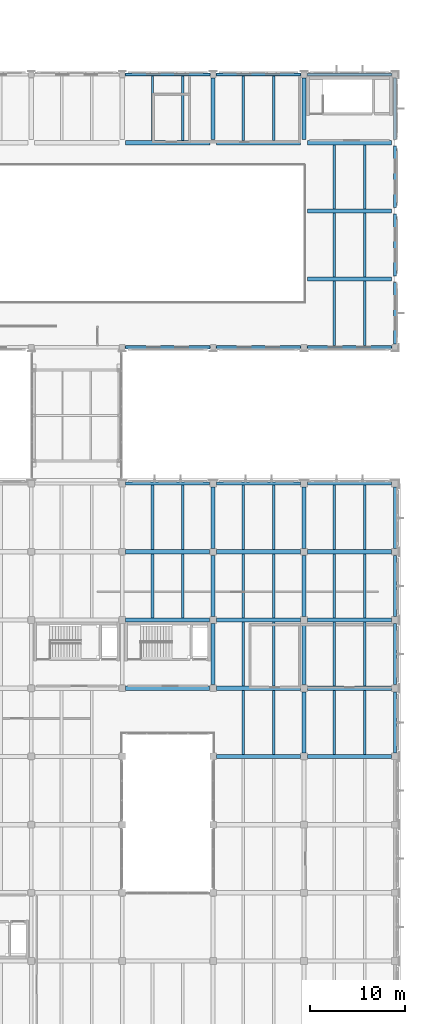
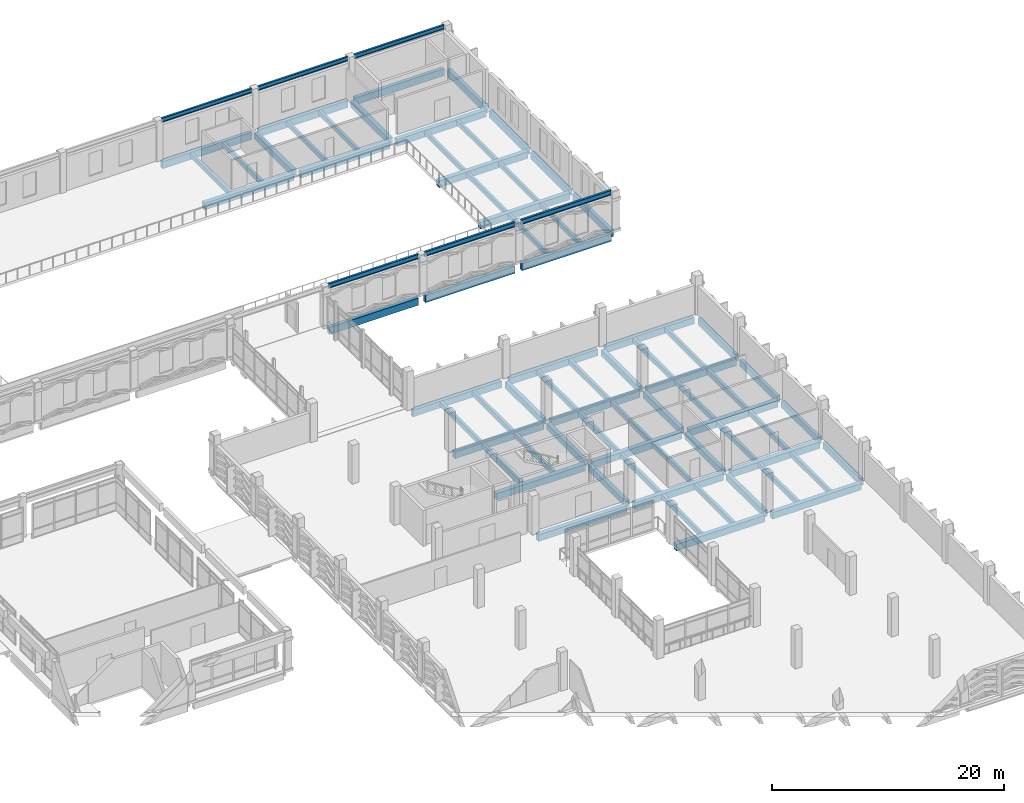
# One storey, part 119 of 180: 78 beams.
"""IFC4 building model written with IfcOpenShell, lengths in metres."""

from ifc_helpers import new_model, si_unit, direction, frame, origin, origin_2d, place, context, subcontext, project, spatial, rectangle, i_section, extrude, material, material_profile, profile_set, type_object, element, save


model = new_model("IFC4")

# Units and contexts
model_context = context("Model", 3, precision=1e-05, world=origin(), true_north=direction((0.0, 1.0)))
body_context = subcontext(model_context, "Body", "Model", "MODEL_VIEW")
ifc_project = project(units=[si_unit("LENGTHUNIT", "METRE"), si_unit("AREAUNIT", "SQUARE_METRE"), si_unit("VOLUMEUNIT", "CUBIC_METRE"), si_unit("PLANEANGLEUNIT", "RADIAN"), si_unit("MASSUNIT", "GRAM", prefix="KILO")], contexts=[model_context])

# Site, building, storey
site_placement = place(None, origin())
site = spatial("IfcSite", under=ifc_project, at=site_placement, CompositionType="ELEMENT")
building_placement = place(site_placement, origin())
building = spatial("IfcBuilding", under=site, at=building_placement, Name="Asteropetra Specialist Clinic", CompositionType="ELEMENT")
storey_placement = place(building_placement, frame((0.0, 0.0, 4.419921875)))
storey = spatial("IfcBuildingStorey", under=building, at=storey_placement, Name="L01", CompositionType="ELEMENT", Elevation=4.419921875)

# Beams
ifc_material_1 = material(Name="Concrete C35/45", Category="concrete")
ifc_material_profile_1 = material_profile(ifc_material_1, rectangle(XDim=0.39990234375, YDim=0.64990234375, at=origin_2d()), Name="RCB 400x650")
ifc_profile_set_1 = profile_set([ifc_material_profile_1], Name="Concrete C35/45")
beam_type_1 = type_object("IfcBeamType", Name="BM-RC400x650", PredefinedType="BEAM", material=ifc_profile_set_1)
for number, where, z_axis, x_axis, name in (
    (1, (144.0, 33.97509765625, -0.625), (0.0, 1.0, 0.0), (-1.0, 0.0, 0.0), "Beam BBM07-0511"),
    (2, (134.39990234375, 41.175048828125, -0.625), (0.0, 1.0, 0.0), (-1.0, 0.0, 0.0), "Beam BBM07-0524"),
    (3, (144.0, 41.175048828125, -0.625), (0.0, 1.0, 0.0), (-1.0, 0.0, 0.0), "Beam BBM07-0525"),
    (4, (134.39990234375, 48.375, -0.625), (0.0, 1.0, 0.0), (-1.0, 0.0, 0.0), "Beam BBM07-0536"),
    (5, (144.0, 48.375, -0.625), (0.0, 1.0, 0.0), (-1.0, 0.0, 0.0), "Beam BBM07-0537"),
    (6, (134.39990234375, 55.574951171875, -0.625), (0.0, 1.0, 0.0), (-1.0, 0.0, 0.0), "Beam BBM07-0552"),
    (7, (144.0, 55.574951171875, -0.625), (0.0, 1.0, 0.0), (-1.0, 0.0, 0.0), "Beam BBM07-0553"),
):
    element("IfcBeam", number, at=place(storey_placement, frame(where, z_axis=z_axis, x_axis=x_axis)), inside=storey, type_object=beam_type_1, Name=name, PredefinedType="BEAM", context=body_context, shape_type="SweptSolid", body=[
        extrude(rectangle(XDim=0.39990234375, YDim=0.64990234375, at=origin_2d()), origin(), (0.0, 0.0, 1.0), 6.449951171875),
    ])
ifc_material_2 = material(Name="Concrete C35/45", Category="concrete")
ifc_material_profile_2 = material_profile(ifc_material_2, rectangle(XDim=0.449951171875, YDim=0.64990234375, at=origin_2d()), Name="RCB 450x650")
ifc_profile_set_2 = profile_set([ifc_material_profile_2], Name="Concrete C35/45")
beam_type_2 = type_object("IfcBeamType", Name="BM-RC450x650", PredefinedType="BEAM", material=ifc_profile_set_2)
for number, where, z_axis, x_axis, name in (
    (8, (134.39990234375, 98.75, -0.60498046875), (0.0, 1.0, 0.0), (-1.0, 0.0, 0.0), "Beam BBM06-0613"),
    (9, (144.0, 98.75, -0.60498046875), (0.0, 1.0, 0.0), (-1.0, 0.0, 0.0), "Beam BBM06-0614"),
):
    element("IfcBeam", number, at=place(storey_placement, frame(where, z_axis=z_axis, x_axis=x_axis)), inside=storey, type_object=beam_type_2, Name=name, PredefinedType="BEAM", context=body_context, shape_type="SweptSolid", body=[
        extrude(rectangle(XDim=0.449951171875, YDim=0.64990234375, at=origin_2d()), origin(), (0.0, 0.0, 1.0), 6.5),
    ])
ifc_material_3 = material(Name="Concrete C35/45", Category="concrete")
ifc_material_profile_3 = material_profile(ifc_material_3, rectangle(XDim=0.449951171875, YDim=0.699951171875, at=origin_2d()), Name="RCB 450x700")
ifc_profile_set_3 = profile_set([ifc_material_profile_3], Name="Concrete C35/45")
beam_type_3 = type_object("IfcBeamType", Name="BM-RC450x700", PredefinedType="BEAM", material=ifc_profile_set_3)
for number, where, z_axis, x_axis, name in (
    (10, (134.77490234375, 33.60009765625, -0.64990234375), (1.0, 0.0, 0.0), (0.0, 1.0, 0.0), "Beam BBM05-0419"),
    (11, (144.375, 33.60009765625, -0.64990234375), (1.0, 0.0, 0.0), (0.0, 1.0, 0.0), "Beam BBM05-0420"),
):
    element("IfcBeam", number, at=place(storey_placement, frame(where, z_axis=z_axis, x_axis=x_axis)), inside=storey, type_object=beam_type_3, Name=name, PredefinedType="BEAM", context=body_context, shape_type="SweptSolid", body=[
        extrude(rectangle(XDim=0.449951171875, YDim=0.699951171875, at=origin_2d()), origin(), (0.0, 0.0, 1.0), 8.85009765625),
    ])
beam_1_placement = place(storey_placement, frame((125.175048828125, 40.800048828125, -0.64990234375), z_axis=(1.0, 0.0, 0.0), x_axis=(0.0, 1.0, 0.0)))
element("IfcBeam", 12, at=beam_1_placement, inside=storey, type_object=beam_type_3, Name="Beam BBM05-0423", PredefinedType="BEAM", context=body_context, shape_type="SweptSolid", body=[
    extrude(rectangle(XDim=0.449951171875, YDim=0.699951171875, at=origin_2d()), origin(), (0.0, 0.0, 1.0), 8.849853515625),
])
for number, where, z_axis, x_axis, name in (
    (13, (134.77490234375, 40.800048828125, -0.64990234375), (1.0, 0.0, 0.0), (0.0, 1.0, 0.0), "Beam BBM05-0424"),
    (14, (144.375, 40.800048828125, -0.64990234375), (1.0, 0.0, 0.0), (0.0, 1.0, 0.0), "Beam BBM05-0425"),
):
    element("IfcBeam", number, at=place(storey_placement, frame(where, z_axis=z_axis, x_axis=x_axis)), inside=storey, type_object=beam_type_3, Name=name, PredefinedType="BEAM", context=body_context, shape_type="SweptSolid", body=[
        extrude(rectangle(XDim=0.449951171875, YDim=0.699951171875, at=origin_2d()), origin(), (0.0, 0.0, 1.0), 8.85009765625),
    ])
beam_2_placement = place(storey_placement, frame((125.175048828125, 48.0, -0.64990234375), z_axis=(1.0, 0.0, 0.0), x_axis=(0.0, 1.0, 0.0)))
element("IfcBeam", 15, at=beam_2_placement, inside=storey, type_object=beam_type_3, Name="Beam BBM05-0428", PredefinedType="BEAM", context=body_context, shape_type="SweptSolid", body=[
    extrude(rectangle(XDim=0.449951171875, YDim=0.699951171875, at=origin_2d()), origin(), (0.0, 0.0, 1.0), 8.849853515625),
])
for number, where, z_axis, x_axis, name in (
    (16, (134.77490234375, 48.0, -0.64990234375), (1.0, 0.0, 0.0), (0.0, 1.0, 0.0), "Beam BBM05-0429"),
    (17, (144.375, 48.0, -0.64990234375), (1.0, 0.0, 0.0), (0.0, 1.0, 0.0), "Beam BBM05-0430"),
):
    element("IfcBeam", number, at=place(storey_placement, frame(where, z_axis=z_axis, x_axis=x_axis)), inside=storey, type_object=beam_type_3, Name=name, PredefinedType="BEAM", context=body_context, shape_type="SweptSolid", body=[
        extrude(rectangle(XDim=0.449951171875, YDim=0.699951171875, at=origin_2d()), origin(), (0.0, 0.0, 1.0), 8.85009765625),
    ])
beam_3_placement = place(storey_placement, frame((125.175048828125, 55.199951171875, -0.64990234375), z_axis=(1.0, 0.0, 0.0), x_axis=(0.0, 1.0, 0.0)))
element("IfcBeam", 18, at=beam_3_placement, inside=storey, type_object=beam_type_3, Name="Beam BBM05-0433", PredefinedType="BEAM", context=body_context, shape_type="SweptSolid", body=[
    extrude(rectangle(XDim=0.449951171875, YDim=0.699951171875, at=origin_2d()), origin(), (0.0, 0.0, 1.0), 8.849853515625),
])
for number, where, z_axis, x_axis, name in (
    (19, (134.77490234375, 55.199951171875, -0.64990234375), (1.0, 0.0, 0.0), (0.0, 1.0, 0.0), "Beam BBM05-0434"),
    (20, (144.375, 55.199951171875, -0.64990234375), (1.0, 0.0, 0.0), (0.0, 1.0, 0.0), "Beam BBM05-0435"),
):
    element("IfcBeam", number, at=place(storey_placement, frame(where, z_axis=z_axis, x_axis=x_axis)), inside=storey, type_object=beam_type_3, Name=name, PredefinedType="BEAM", context=body_context, shape_type="SweptSolid", body=[
        extrude(rectangle(XDim=0.449951171875, YDim=0.699951171875, at=origin_2d()), origin(), (0.0, 0.0, 1.0), 8.85009765625),
    ])
for number, where, z_axis, x_axis, name in (
    (21, (144.35009765625, 84.0, -0.6298828125), (1.0, 0.0, 0.0), (0.0, 1.0, 0.0), "Beam BBM05-0573"),
    (22, (144.35009765625, 91.199951171875, -0.6298828125), (1.0, 0.0, 0.0), (0.0, 1.0, 0.0), "Beam BBM05-0575"),
):
    element("IfcBeam", number, at=place(storey_placement, frame(where, z_axis=z_axis, x_axis=x_axis)), inside=storey, type_object=beam_type_3, Name=name, PredefinedType="BEAM", context=body_context, shape_type="SweptSolid", body=[
        extrude(rectangle(XDim=0.449951171875, YDim=0.699951171875, at=origin_2d()), origin(), (0.0, 0.0, 1.0), 8.89990234375),
    ])
beam_4_placement = place(storey_placement, frame((125.14990234375, 98.39990234375, -0.6298828125), z_axis=(1.0, 0.0, 0.0), x_axis=(0.0, 1.0, 0.0)))
element("IfcBeam", 23, at=beam_4_placement, inside=storey, type_object=beam_type_3, Name="Beam BBM05-0580", PredefinedType="BEAM", context=body_context, shape_type="SweptSolid", body=[
    extrude(rectangle(XDim=0.449951171875, YDim=0.699951171875, at=origin_2d()), origin(), (0.0, 0.0, 1.0), 8.900146484375),
])
for number, where, z_axis, x_axis, name in (
    (24, (134.75, 98.39990234375, -0.6298828125), (1.0, 0.0, 0.0), (0.0, 1.0, 0.0), "Beam BBM05-0581"),
    (25, (144.35009765625, 98.39990234375, -0.6298828125), (1.0, 0.0, 0.0), (0.0, 1.0, 0.0), "Beam BBM05-0582"),
):
    element("IfcBeam", number, at=place(storey_placement, frame(where, z_axis=z_axis, x_axis=x_axis)), inside=storey, type_object=beam_type_3, Name=name, PredefinedType="BEAM", context=body_context, shape_type="SweptSolid", body=[
        extrude(rectangle(XDim=0.449951171875, YDim=0.699951171875, at=origin_2d()), origin(), (0.0, 0.0, 1.0), 8.89990234375),
    ])
ifc_material_4 = material(Name="Steel S355", Category="steel")
ifc_material_profile_4 = material_profile(ifc_material_4, i_section(OverallWidth=0.18994140625, OverallDepth=0.449951171875, WebThickness=0.009521484375, FlangeThickness=0.0146484375, FilletRadius=0.02099609375, at=origin_2d()), Name="IPE 450")
ifc_profile_set_4 = profile_set([ifc_material_profile_4], Name="Steel S355")
beam_type_4 = type_object("IfcBeamType", Name="BM-STL-IPE450", PredefinedType="BEAM", material=ifc_profile_set_4)
for number, where, z_axis, x_axis, name in (
    (26, (125.10009765625, 105.60009765625, 4.030029296875), (1.0, 0.0, 0.0), (0.0, 1.0, 0.0), "Hall Eave Girder EG-124-105"),
    (27, (134.699951171875, 105.60009765625, 4.030029296875), (1.0, 0.0, 0.0), (0.0, 1.0, 0.0), "Hall Eave Girder EG-134-105"),
    (28, (144.300048828125, 105.60009765625, 4.030029296875), (1.0, 0.0, 0.0), (0.0, 1.0, 0.0), "Hall Eave Girder EG-144-105"),
):
    element("IfcBeam", number, at=place(storey_placement, frame(where, z_axis=z_axis, x_axis=x_axis)), inside=storey, type_object=beam_type_4, Name=name, PredefinedType="BEAM", context=body_context, shape_type="SweptSolid", body=[
        extrude(i_section(OverallWidth=0.18994140625, OverallDepth=0.449951171875, WebThickness=0.009521484375, FlangeThickness=0.0146484375, FilletRadius=0.02099609375, at=origin_2d()), origin(), (0.0, 0.0, 1.0), 9.0),
    ])
ifc_material_5 = material(Name="Steel S355", Category="steel")
ifc_material_profile_5 = material_profile(ifc_material_5, i_section(OverallWidth=0.199951171875, OverallDepth=0.5, WebThickness=0.01025390625, FlangeThickness=0.01611328125, FilletRadius=0.02099609375, at=origin_2d()), Name="IPE 500")
ifc_profile_set_5 = profile_set([ifc_material_profile_5], Name="Steel S355")
beam_type_5 = type_object("IfcBeamType", Name="BM-STL-IPE500", PredefinedType="BEAM", material=ifc_profile_set_5)
for number, where, z_axis, x_axis, name in (
    (29, (125.10009765625, 76.800048828125, 4.030029296875), (1.0, 0.0, 0.0), (0.0, 1.0, 0.0), "Hall Eave Girder EG-124-76"),
    (30, (134.699951171875, 76.800048828125, 4.030029296875), (1.0, 0.0, 0.0), (0.0, 1.0, 0.0), "Hall Eave Girder EG-134-76"),
    (31, (144.300048828125, 76.800048828125, 4.030029296875), (1.0, 0.0, 0.0), (0.0, 1.0, 0.0), "Hall Eave Girder EG-144-76"),
):
    element("IfcBeam", number, at=place(storey_placement, frame(where, z_axis=z_axis, x_axis=x_axis)), inside=storey, type_object=beam_type_5, Name=name, PredefinedType="BEAM", context=body_context, shape_type="SweptSolid", body=[
        extrude(i_section(OverallWidth=0.199951171875, OverallDepth=0.5, WebThickness=0.01025390625, FlangeThickness=0.01611328125, FilletRadius=0.02099609375, at=origin_2d()), origin(), (0.0, 0.0, 1.0), 9.0),
    ])
ifc_material_6 = material(Name="Concrete C35/45", Category="concrete")
ifc_material_profile_6 = material_profile(ifc_material_6, rectangle(XDim=0.260009765625, YDim=0.47998046875, at=origin_2d()), Name="RCJ 260x480")
ifc_profile_set_6 = profile_set([ifc_material_profile_6], Name="Concrete C35/45")
beam_type_6 = type_object("IfcBeamType", Name="JST-RC260x480", PredefinedType="JOIST", material=ifc_profile_set_6)
for number, where, z_axis, x_axis, name in (
    (32, (147.199951171875, 76.97509765625, -0.52001953125), (0.0, 1.0, 0.0), (-1.0, 0.0, 0.0), "Joist JJST02-0594"),
    (33, (150.39990234375, 76.97509765625, -0.52001953125), (0.0, 1.0, 0.0), (-1.0, 0.0, 0.0), "Joist JJST02-0595"),
):
    element("IfcBeam", number, at=place(storey_placement, frame(where, z_axis=z_axis, x_axis=x_axis)), inside=storey, type_object=beam_type_6, Name=name, PredefinedType="JOIST", context=body_context, shape_type="SweptSolid", body=[
        extrude(rectangle(XDim=0.260009765625, YDim=0.47998046875, at=origin_2d()), origin(), (0.0, 0.0, 1.0), 6.7998046875),
    ])
for number, where, z_axis, x_axis, name in (
    (34, (147.199951171875, 84.22509765625, -0.52001953125), (0.0, 1.0, 0.0), (-1.0, 0.0, 0.0), "Joist JJST02-0600"),
    (35, (150.39990234375, 84.22509765625, -0.52001953125), (0.0, 1.0, 0.0), (-1.0, 0.0, 0.0), "Joist JJST02-0601"),
    (36, (147.199951171875, 91.425048828125, -0.52001953125), (0.0, 1.0, 0.0), (-1.0, 0.0, 0.0), "Joist JJST02-0606"),
    (37, (150.39990234375, 91.425048828125, -0.52001953125), (0.0, 1.0, 0.0), (-1.0, 0.0, 0.0), "Joist JJST02-0607"),
):
    element("IfcBeam", number, at=place(storey_placement, frame(where, z_axis=z_axis, x_axis=x_axis)), inside=storey, type_object=beam_type_6, Name=name, PredefinedType="JOIST", context=body_context, shape_type="SweptSolid", body=[
        extrude(rectangle(XDim=0.260009765625, YDim=0.47998046875, at=origin_2d()), origin(), (0.0, 0.0, 1.0), 6.75),
    ])
for number, where, z_axis, x_axis, name in (
    (38, (128.0, 98.625, -0.52001953125), (0.0, 1.0, 0.0), (-1.0, 0.0, 0.0), "Joist JJST02-0622"),
    (39, (131.199951171875, 98.625, -0.52001953125), (0.0, 1.0, 0.0), (-1.0, 0.0, 0.0), "Joist JJST02-0623"),
    (40, (137.60009765625, 98.625, -0.52001953125), (0.0, 1.0, 0.0), (-1.0, 0.0, 0.0), "Joist JJST02-0624"),
    (41, (140.800048828125, 98.625, -0.52001953125), (0.0, 1.0, 0.0), (-1.0, 0.0, 0.0), "Joist JJST02-0625"),
):
    element("IfcBeam", number, at=place(storey_placement, frame(where, z_axis=z_axis, x_axis=x_axis)), inside=storey, type_object=beam_type_6, Name=name, PredefinedType="JOIST", context=body_context, shape_type="SweptSolid", body=[
        extrude(rectangle(XDim=0.260009765625, YDim=0.47998046875, at=origin_2d()), origin(), (0.0, 0.0, 1.0), 6.800048828125),
    ])
ifc_material_7 = material(Name="Concrete C35/45", Category="concrete")
ifc_material_profile_7 = material_profile(ifc_material_7, rectangle(XDim=0.280029296875, YDim=0.52001953125, at=origin_2d()), Name="RCJ 280x520")
ifc_profile_set_7 = profile_set([ifc_material_profile_7], Name="Concrete C35/45")
beam_type_7 = type_object("IfcBeamType", Name="JST-RC280x520", PredefinedType="JOIST", material=ifc_profile_set_7)
for number, where, z_axis, x_axis, name in (
    (42, (137.60009765625, 33.824951171875, -0.559814453125), (0.0, 1.0, 0.0), (-1.0, 0.0, 0.0), "Joist JJST01-0517"),
    (43, (140.800048828125, 33.824951171875, -0.559814453125), (0.0, 1.0, 0.0), (-1.0, 0.0, 0.0), "Joist JJST01-0518"),
    (44, (147.199951171875, 33.824951171875, -0.559814453125), (0.0, 1.0, 0.0), (-1.0, 0.0, 0.0), "Joist JJST01-0519"),
    (45, (150.39990234375, 33.824951171875, -0.559814453125), (0.0, 1.0, 0.0), (-1.0, 0.0, 0.0), "Joist JJST01-0520"),
    (46, (137.60009765625, 41.02490234375, -0.559814453125), (0.0, 1.0, 0.0), (-1.0, 0.0, 0.0), "Joist JJST01-0529"),
    (47, (140.800048828125, 41.02490234375, -0.559814453125), (0.0, 1.0, 0.0), (-1.0, 0.0, 0.0), "Joist JJST01-0530"),
    (48, (147.199951171875, 41.02490234375, -0.559814453125), (0.0, 1.0, 0.0), (-1.0, 0.0, 0.0), "Joist JJST01-0531"),
    (49, (150.39990234375, 41.02490234375, -0.559814453125), (0.0, 1.0, 0.0), (-1.0, 0.0, 0.0), "Joist JJST01-0532"),
    (50, (128.0, 48.22509765625, -0.559814453125), (0.0, 1.0, 0.0), (-1.0, 0.0, 0.0), "Joist JJST01-0543"),
    (51, (131.199951171875, 48.22509765625, -0.559814453125), (0.0, 1.0, 0.0), (-1.0, 0.0, 0.0), "Joist JJST01-0544"),
    (52, (137.60009765625, 48.22509765625, -0.559814453125), (0.0, 1.0, 0.0), (-1.0, 0.0, 0.0), "Joist JJST01-0545"),
    (53, (140.800048828125, 48.22509765625, -0.559814453125), (0.0, 1.0, 0.0), (-1.0, 0.0, 0.0), "Joist JJST01-0546"),
    (54, (147.199951171875, 48.22509765625, -0.559814453125), (0.0, 1.0, 0.0), (-1.0, 0.0, 0.0), "Joist JJST01-0547"),
    (55, (150.39990234375, 48.22509765625, -0.559814453125), (0.0, 1.0, 0.0), (-1.0, 0.0, 0.0), "Joist JJST01-0548"),
):
    element("IfcBeam", number, at=place(storey_placement, frame(where, z_axis=z_axis, x_axis=x_axis)), inside=storey, type_object=beam_type_7, Name=name, PredefinedType="JOIST", context=body_context, shape_type="SweptSolid", body=[
        extrude(rectangle(XDim=0.280029296875, YDim=0.52001953125, at=origin_2d()), origin(), (0.0, 0.0, 1.0), 6.75),
    ])
for number, where, z_axis, x_axis, name in (
    (56, (128.0, 55.425048828125, -0.559814453125), (0.0, 1.0, 0.0), (-1.0, 0.0, 0.0), "Joist JJST01-0559"),
    (57, (131.199951171875, 55.425048828125, -0.559814453125), (0.0, 1.0, 0.0), (-1.0, 0.0, 0.0), "Joist JJST01-0560"),
    (58, (137.60009765625, 55.425048828125, -0.559814453125), (0.0, 1.0, 0.0), (-1.0, 0.0, 0.0), "Joist JJST01-0561"),
    (59, (140.800048828125, 55.425048828125, -0.559814453125), (0.0, 1.0, 0.0), (-1.0, 0.0, 0.0), "Joist JJST01-0562"),
    (60, (147.199951171875, 55.425048828125, -0.559814453125), (0.0, 1.0, 0.0), (-1.0, 0.0, 0.0), "Joist JJST01-0563"),
    (61, (150.39990234375, 55.425048828125, -0.559814453125), (0.0, 1.0, 0.0), (-1.0, 0.0, 0.0), "Joist JJST01-0564"),
):
    element("IfcBeam", number, at=place(storey_placement, frame(where, z_axis=z_axis, x_axis=x_axis)), inside=storey, type_object=beam_type_7, Name=name, PredefinedType="JOIST", context=body_context, shape_type="SweptSolid", body=[
        extrude(rectangle(XDim=0.280029296875, YDim=0.52001953125, at=origin_2d()), origin(), (0.0, 0.0, 1.0), 6.81494140625),
    ])
ifc_material_8 = material(Name="Concrete C35/45", Category="concrete")
ifc_material_profile_8 = material_profile(ifc_material_8, rectangle(XDim=0.320068359375, YDim=0.699951171875, at=origin_2d()), Name="RCS 320x700")
ifc_profile_set_8 = profile_set([ifc_material_profile_8], Name="Concrete C35/45")
beam_type_8 = type_object("IfcBeamType", Name="SPN-RC320x700", PredefinedType="SPANDREL", material=ifc_profile_set_8)
beam_5_placement = place(storey_placement, frame((125.175048828125, 62.39990234375, -0.64990234375), z_axis=(1.0, 0.0, 0.0), x_axis=(0.0, 1.0, 0.0)))
element("IfcBeam", 62, at=beam_5_placement, inside=storey, type_object=beam_type_8, Name="Beam BSPN02-0438", PredefinedType="SPANDREL", context=body_context, shape_type="SweptSolid", body=[
    extrude(rectangle(XDim=0.320068359375, YDim=0.699951171875, at=origin_2d()), origin(), (0.0, 0.0, 1.0), 8.849853515625),
])
for number, where, z_axis, x_axis, name in (
    (63, (134.77490234375, 62.39990234375, -0.64990234375), (1.0, 0.0, 0.0), (0.0, 1.0, 0.0), "Beam BSPN02-0439"),
    (64, (144.375, 62.39990234375, -0.64990234375), (1.0, 0.0, 0.0), (0.0, 1.0, 0.0), "Beam BSPN02-0440"),
):
    element("IfcBeam", number, at=place(storey_placement, frame(where, z_axis=z_axis, x_axis=x_axis)), inside=storey, type_object=beam_type_8, Name=name, PredefinedType="SPANDREL", context=body_context, shape_type="SweptSolid", body=[
        extrude(rectangle(XDim=0.320068359375, YDim=0.699951171875, at=origin_2d()), origin(), (0.0, 0.0, 1.0), 8.85009765625),
    ])
for number, where, z_axis, x_axis, name in (
    (65, (153.60009765625, 33.97509765625, -0.64990234375), (0.0, 1.0, 0.0), (-1.0, 0.0, 0.0), "Beam BSPN02-0512"),
    (66, (153.60009765625, 41.175048828125, -0.64990234375), (0.0, 1.0, 0.0), (-1.0, 0.0, 0.0), "Beam BSPN02-0526"),
    (67, (153.60009765625, 48.375, -0.64990234375), (0.0, 1.0, 0.0), (-1.0, 0.0, 0.0), "Beam BSPN02-0538"),
    (68, (153.60009765625, 55.574951171875, -0.64990234375), (0.0, 1.0, 0.0), (-1.0, 0.0, 0.0), "Beam BSPN02-0554"),
):
    element("IfcBeam", number, at=place(storey_placement, frame(where, z_axis=z_axis, x_axis=x_axis)), inside=storey, type_object=beam_type_8, Name=name, PredefinedType="SPANDREL", context=body_context, shape_type="SweptSolid", body=[
        extrude(rectangle(XDim=0.320068359375, YDim=0.699951171875, at=origin_2d()), origin(), (0.0, 0.0, 1.0), 6.449951171875),
    ])
ifc_material_9 = material(Name="Concrete C35/45", Category="concrete")
ifc_material_profile_9 = material_profile(ifc_material_9, rectangle(XDim=0.35009765625, YDim=0.75, at=origin_2d()), Name="RCS 350x750")
ifc_profile_set_9 = profile_set([ifc_material_profile_9], Name="Concrete C35/45")
beam_type_9 = type_object("IfcBeamType", Name="SPN-RC350x750", PredefinedType="SPANDREL", material=ifc_profile_set_9)
beam_6_placement = place(storey_placement, frame((125.14990234375, 76.800048828125, -0.655029296875), z_axis=(1.0, 0.0, 0.0), x_axis=(0.0, 1.0, 0.0)))
element("IfcBeam", 69, at=beam_6_placement, inside=storey, type_object=beam_type_9, Name="Beam BSPN01-0569", PredefinedType="SPANDREL", context=body_context, shape_type="SweptSolid", body=[
    extrude(rectangle(XDim=0.35009765625, YDim=0.75, at=origin_2d()), origin(), (0.0, 0.0, 1.0), 8.900146484375),
])
for number, where, z_axis, x_axis, name in (
    (70, (134.75, 76.800048828125, -0.655029296875), (1.0, 0.0, 0.0), (0.0, 1.0, 0.0), "Beam BSPN01-0570"),
    (71, (144.35009765625, 76.800048828125, -0.655029296875), (1.0, 0.0, 0.0), (0.0, 1.0, 0.0), "Beam BSPN01-0571"),
):
    element("IfcBeam", number, at=place(storey_placement, frame(where, z_axis=z_axis, x_axis=x_axis)), inside=storey, type_object=beam_type_9, Name=name, PredefinedType="SPANDREL", context=body_context, shape_type="SweptSolid", body=[
        extrude(rectangle(XDim=0.35009765625, YDim=0.75, at=origin_2d()), origin(), (0.0, 0.0, 1.0), 8.89990234375),
    ])
beam_7_placement = place(storey_placement, frame((125.14990234375, 105.60009765625, -0.655029296875), z_axis=(1.0, 0.0, 0.0), x_axis=(0.0, 1.0, 0.0)))
element("IfcBeam", 72, at=beam_7_placement, inside=storey, type_object=beam_type_9, Name="Beam BSPN01-0587", PredefinedType="SPANDREL", context=body_context, shape_type="SweptSolid", body=[
    extrude(rectangle(XDim=0.35009765625, YDim=0.75, at=origin_2d()), origin(), (0.0, 0.0, 1.0), 8.900146484375),
])
for number, where, z_axis, x_axis, name in (
    (73, (134.75, 105.60009765625, -0.655029296875), (1.0, 0.0, 0.0), (0.0, 1.0, 0.0), "Beam BSPN01-0588"),
    (74, (144.35009765625, 105.60009765625, -0.655029296875), (1.0, 0.0, 0.0), (0.0, 1.0, 0.0), "Beam BSPN01-0589"),
):
    element("IfcBeam", number, at=place(storey_placement, frame(where, z_axis=z_axis, x_axis=x_axis)), inside=storey, type_object=beam_type_9, Name=name, PredefinedType="SPANDREL", context=body_context, shape_type="SweptSolid", body=[
        extrude(rectangle(XDim=0.35009765625, YDim=0.75, at=origin_2d()), origin(), (0.0, 0.0, 1.0), 8.89990234375),
    ])
for number, where, z_axis, x_axis, name in (
    (75, (153.60009765625, 77.14990234375, -0.655029296875), (0.0, 1.0, 0.0), (-1.0, 0.0, 0.0), "Beam BSPN01-0591"),
    (76, (153.60009765625, 84.35009765625, -0.655029296875), (0.0, 1.0, 0.0), (-1.0, 0.0, 0.0), "Beam BSPN01-0597"),
    (77, (153.60009765625, 91.550048828125, -0.655029296875), (0.0, 1.0, 0.0), (-1.0, 0.0, 0.0), "Beam BSPN01-0603"),
    (78, (153.60009765625, 98.75, -0.655029296875), (0.0, 1.0, 0.0), (-1.0, 0.0, 0.0), "Beam BSPN01-0615"),
):
    element("IfcBeam", number, at=place(storey_placement, frame(where, z_axis=z_axis, x_axis=x_axis)), inside=storey, type_object=beam_type_9, Name=name, PredefinedType="SPANDREL", context=body_context, shape_type="SweptSolid", body=[
        extrude(rectangle(XDim=0.35009765625, YDim=0.75, at=origin_2d()), origin(), (0.0, 0.0, 1.0), 6.5),
    ])

save(model, "model.ifc")
